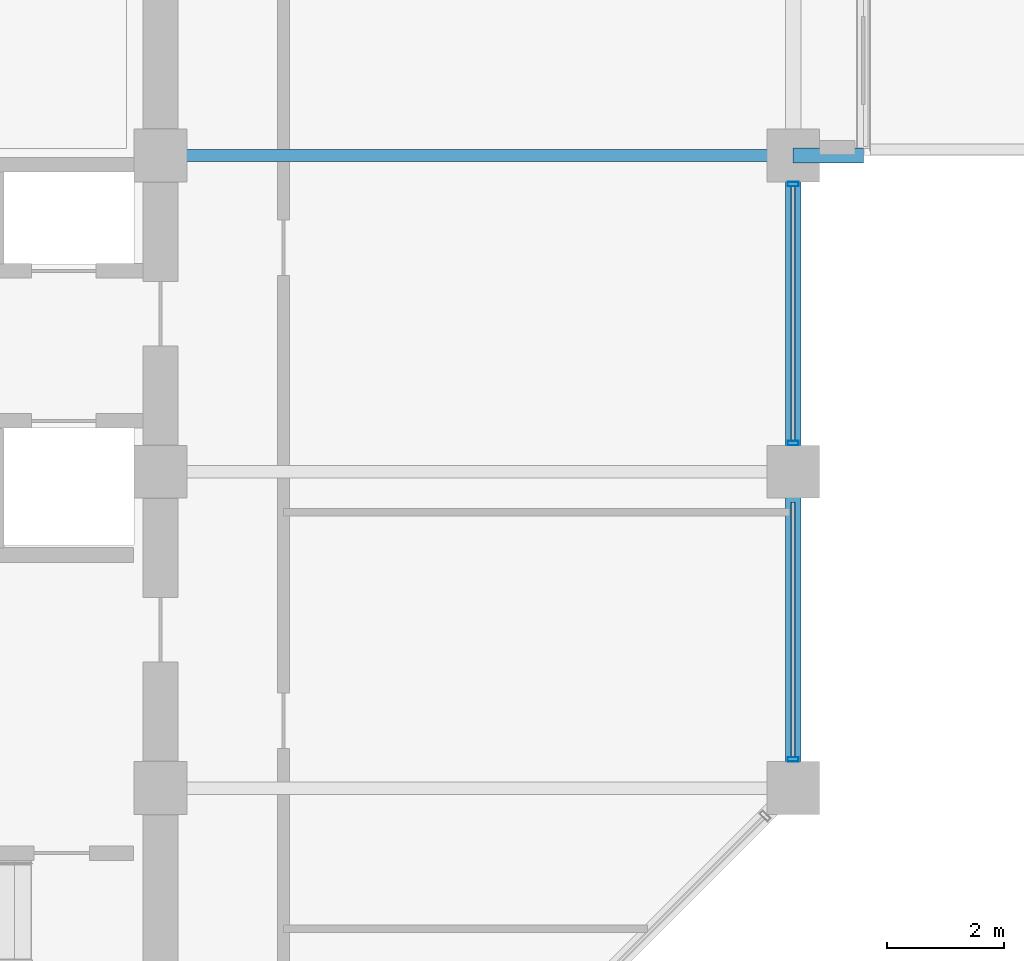
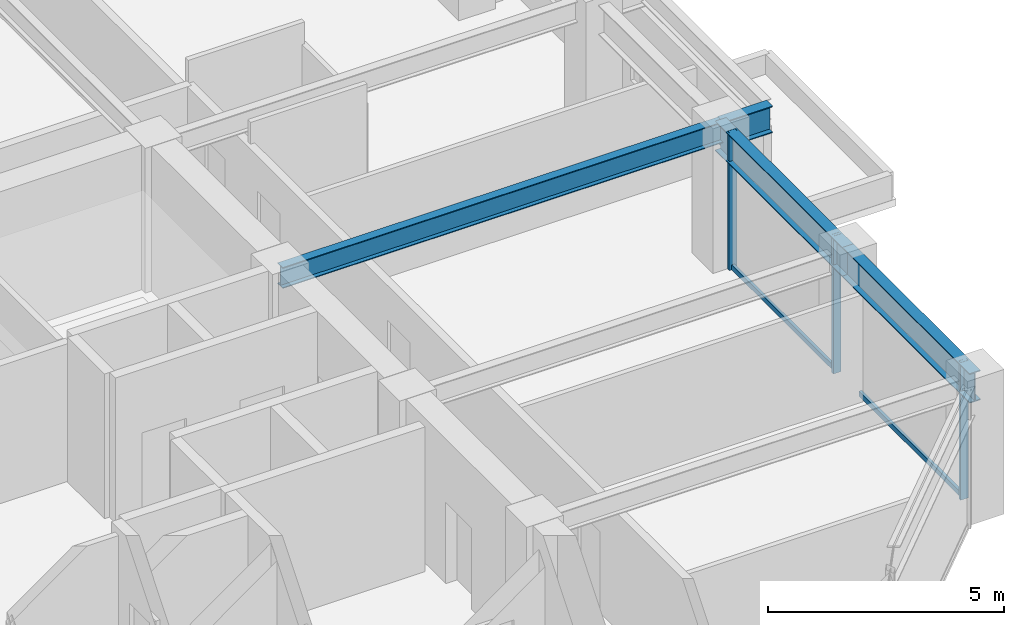
# One storey, part 11 of 28: 5 members, 4 beams, 1 element without a shape of its own.
"""IFC4 building model written with IfcOpenShell, lengths in metres."""

from ifc_helpers import new_model, si_unit, direction, frame, origin, origin_2d, place, context, subcontext, project, spatial, hollow_rectangle, i_section, extrude, material, layer, layer_set, material_profile, profile_set, type_object, element, aggregate, save


model = new_model("IFC4")

# Units and contexts
model_context = context("Model", 3, precision=1e-05, world=origin(), true_north=direction((0.0, 1.0)))
body_context = subcontext(model_context, "Body", "Model", "MODEL_VIEW")
ifc_project = project(units=[si_unit("LENGTHUNIT", "METRE"), si_unit("AREAUNIT", "SQUARE_METRE"), si_unit("VOLUMEUNIT", "CUBIC_METRE"), si_unit("PLANEANGLEUNIT", "RADIAN"), si_unit("MASSUNIT", "GRAM", prefix="KILO")], contexts=[model_context])

# Site, building, storey
site_placement = place(None, origin())
site = spatial("IfcSite", under=ifc_project, at=site_placement, CompositionType="ELEMENT")
building_placement = place(site_placement, origin())
building = spatial("IfcBuilding", under=site, at=building_placement, Name="Surkhivell Harbour Commons", CompositionType="ELEMENT")
storey_placement = place(building_placement, frame((0.0, 0.0, 182.25)))
storey = spatial("IfcBuildingStorey", under=building, at=storey_placement, Name="L47", CompositionType="ELEMENT", Elevation=182.25)

# Beams
ifc_material_1 = material(Name="Steel S460", Category="steel")
ifc_material_profile_1 = material_profile(ifc_material_1, i_section(OverallWidth=0.256103515625, OverallDepth=0.693115234375, WebThickness=0.014404296875, FlangeThickness=0.023681640625, at=origin_2d()), Name="UB686x254x170")
ifc_profile_set_1 = profile_set([ifc_material_profile_1], Name="Steel S460")
beam_type_1 = type_object("IfcBeamType", Name="BM-CNT-686", PredefinedType="BEAM", material=ifc_profile_set_1)
beam_1_placement = place(storey_placement, frame((21.60009765625, 5.39990234375, 3.223388671875), z_axis=(1.0, 0.0, 0.0), x_axis=(0.0, 1.0, 0.0)))
element("IfcBeam", 1, at=beam_1_placement, inside=storey, type_object=beam_type_1, Name="L47 Box Cantilever Outrigger (21.6,5.4)", PredefinedType="BEAM", context=body_context, shape_type="SweptSolid", body=[
    extrude(i_section(OverallWidth=0.256103515625, OverallDepth=0.693115234375, WebThickness=0.014404296875, FlangeThickness=0.023681640625, at=origin_2d()), origin(), (0.0, 0.0, 1.0), 1.199951171875),
])
ifc_material_2 = material(Name="Steel S355", Category="steel")
ifc_material_profile_2 = material_profile(ifc_material_2, i_section(OverallWidth=0.2119140625, OverallDepth=0.5439453125, WebThickness=0.0126953125, FlangeThickness=0.021240234375, at=origin_2d()), Name="UB533x210x122")
ifc_profile_set_2 = profile_set([ifc_material_profile_2], Name="Steel S355")
beam_type_2 = type_object("IfcBeamType", Name="BM-GRD-533A", PredefinedType="BEAM", material=ifc_profile_set_2)
beam_2_placement = place(storey_placement, frame((10.800048828125, 5.39990234375, 3.298095703125), z_axis=(1.0, 0.0, 0.0), x_axis=(0.0, 1.0, 0.0)))
element("IfcBeam", 2, at=beam_2_placement, inside=storey, type_object=beam_type_2, Name="L47 Floor Girder (10.8,5.4)", PredefinedType="BEAM", context=body_context, shape_type="SweptSolid", body=[
    extrude(i_section(OverallWidth=0.2119140625, OverallDepth=0.5439453125, WebThickness=0.0126953125, FlangeThickness=0.021240234375, at=origin_2d()), origin(), (0.0, 0.0, 1.0), 10.800048828125),
])
ifc_material_profile_3 = material_profile(ifc_material_2, i_section(OverallWidth=0.26806640625, OverallDepth=0.77001953125, WebThickness=0.015625, FlangeThickness=0.025390625, at=origin_2d()), Name="UB762x267x197")
ifc_profile_set_3 = profile_set([ifc_material_profile_3], Name="Steel S355")
beam_type_3 = type_object("IfcBeamType", Name="BM-SPN-762", PredefinedType="SPANDREL", material=ifc_profile_set_3)
for number, where, z_axis, x_axis, name in (
    (3, (21.60009765625, -5.39990234375, 3.18505859375), (0.0, 1.0, 0.0), (-1.0, 0.0, 0.0), "L47 Tube Spandrel (21.6,-5.4)"),
    (4, (21.60009765625, 0.0, 3.18505859375), (0.0, 1.0, 0.0), (-1.0, 0.0, 0.0), "L47 Tube Spandrel (21.6,0.0)"),
):
    element("IfcBeam", number, at=place(storey_placement, frame(where, z_axis=z_axis, x_axis=x_axis)), inside=storey, type_object=beam_type_3, Name=name, PredefinedType="SPANDREL", context=body_context, shape_type="SweptSolid", body=[
        extrude(i_section(OverallWidth=0.26806640625, OverallDepth=0.77001953125, WebThickness=0.015625, FlangeThickness=0.025390625, at=origin_2d()), origin(), (0.0, 0.0, 1.0), 5.39990234375),
    ])

# Curtain wall, members
ifc_material_3 = material(Name="Anodised pale-metal aluminium and insulated glazing", Category="aluminium")
ifc_layer = layer(ifc_material_3, 0.18994140625)
ifc_layer_set = layer_set([ifc_layer], Name="Anodised pale-metal aluminium and insulated glazing")
curtain_wall_type = type_object("IfcCurtainWallType", Name="CW-SYS-Z3", PredefinedType="NOTDEFINED", material=ifc_layer_set)
curtain_wall_placement = place(storey_placement, origin())
curtain_wall = element("IfcCurtainWall", 5, at=curtain_wall_placement, inside=storey, type_object=curtain_wall_type, Name="L47 Curtain Wall CW-L47-E02R1", PredefinedType="NOTDEFINED")
ifc_material_4 = material(Name="Anodised pale-metal aluminium alloy 6063-T6", Category="aluminium")
ifc_material_profile_4 = material_profile(ifc_material_4, hollow_rectangle(XDim=0.074951171875, YDim=0.18994140625, WallThickness=0.00390625, at=origin_2d()), Name="ALU-MULL-75x190")
ifc_profile_set_4 = profile_set([ifc_material_profile_4], Name="Anodised pale-metal aluminium alloy 6063-T6")
member_type_1 = type_object("IfcMemberType", Name="CWM-190", PredefinedType="MULLION", material=ifc_profile_set_4)
member_1_placement = place(storey_placement, frame((21.60009765625, -4.910400390625, 0.0), z_axis=(0.0, 0.0, 1.0), x_axis=(0.0, 1.0, 0.0)))
member_1 = element("IfcMember", 6, at=member_1_placement, type_object=member_type_1, Name="CW-Z3 mullion 1", PredefinedType="MULLION", context=body_context, shape_type="SweptSolid", body=[
    extrude(hollow_rectangle(XDim=0.074951171875, YDim=0.18994140625, WallThickness=0.00390625, at=origin_2d()), origin(), (0.0, 0.0, 1.0), 3.570068359375),
])
member_2_placement = place(storey_placement, frame((21.60009765625, 0.489501953125, 0.0), z_axis=(0.0, 0.0, 1.0), x_axis=(0.0, 1.0, 0.0)))
member_2 = element("IfcMember", 7, at=member_2_placement, type_object=member_type_1, Name="CW-Z3 mullion 2", PredefinedType="MULLION", context=body_context, shape_type="SweptSolid", body=[
    extrude(hollow_rectangle(XDim=0.074951171875, YDim=0.18994140625, WallThickness=0.00390625, at=origin_2d()), origin(), (0.0, 0.0, 1.0), 3.570068359375),
])
member_3_placement = place(storey_placement, frame((21.60009765625, 4.910400390625, 0.0), z_axis=(0.0, 0.0, 1.0), x_axis=(0.0, 1.0, 0.0)))
member_3 = element("IfcMember", 8, at=member_3_placement, type_object=member_type_1, Name="CW-Z3 mullion 3", PredefinedType="MULLION", context=body_context, shape_type="SweptSolid", body=[
    extrude(hollow_rectangle(XDim=0.074951171875, YDim=0.18994140625, WallThickness=0.00390625, at=origin_2d()), origin(), (0.0, 0.0, 1.0), 3.570068359375),
])
ifc_material_5 = material(Name="Champagne anodised aluminium alloy 6063-T6", Category="aluminium")
ifc_material_profile_5 = material_profile(ifc_material_5, hollow_rectangle(XDim=0.070068359375, YDim=0.1298828125, WallThickness=0.00341796875, at=origin_2d()), Name="ALU-TRAN-70x130")
ifc_profile_set_5 = profile_set([ifc_material_profile_5], Name="Champagne anodised aluminium alloy 6063-T6")
member_type_2 = type_object("IfcMemberType", Name="CWT-130", PredefinedType="USERDEFINED", material=ifc_profile_set_5)
member_4_placement = place(storey_placement, frame((21.60009765625, -4.873046875, 0.06494140625), z_axis=(0.0, 1.0, 0.0), x_axis=(-1.0, 0.0, 0.0)))
member_4 = element("IfcMember", 9, at=member_4_placement, type_object=member_type_2, Name="CW-Z3 transom 1.1", ObjectType="TRANSOM", PredefinedType="USERDEFINED", context=body_context, shape_type="SweptSolid", body=[
    extrude(hollow_rectangle(XDim=0.070068359375, YDim=0.1298828125, WallThickness=0.00341796875, at=origin_2d()), origin(), (0.0, 0.0, 1.0), 4.345947265625),
])
member_5_placement = place(storey_placement, frame((21.60009765625, 0.527099609375, 0.06494140625), z_axis=(0.0, 1.0, 0.0), x_axis=(-1.0, 0.0, 0.0)))
member_5 = element("IfcMember", 10, at=member_5_placement, type_object=member_type_2, Name="CW-Z3 transom 2.1", ObjectType="TRANSOM", PredefinedType="USERDEFINED", context=body_context, shape_type="SweptSolid", body=[
    extrude(hollow_rectangle(XDim=0.070068359375, YDim=0.1298828125, WallThickness=0.00341796875, at=origin_2d()), origin(), (0.0, 0.0, 1.0), 4.345947265625),
])
aggregate(curtain_wall, [member_1, member_4, member_2, member_3, member_5])

save(model, "model.ifc")
